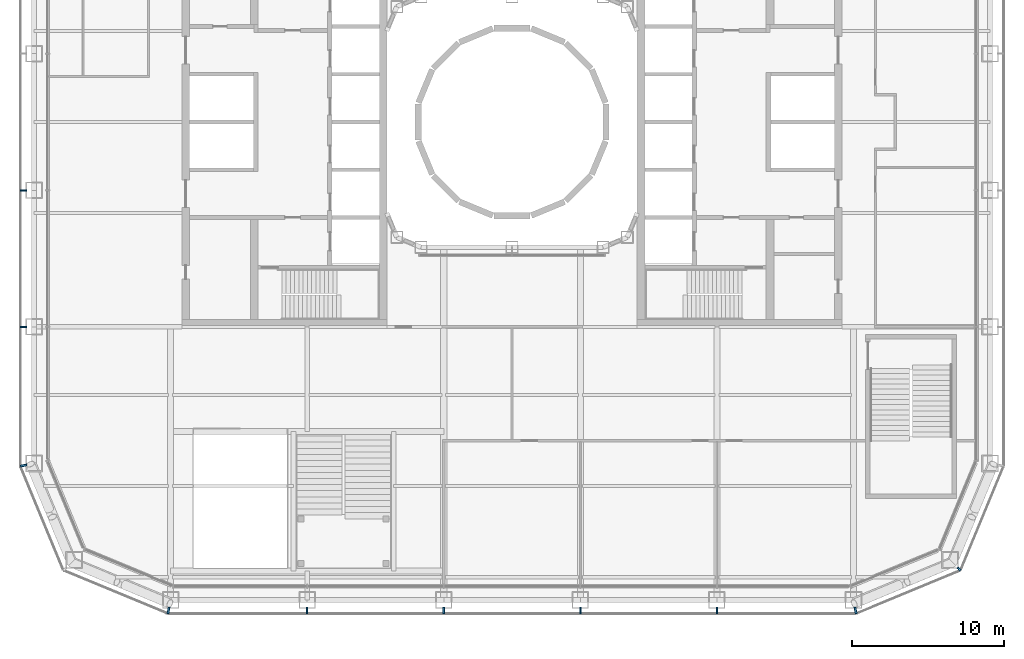
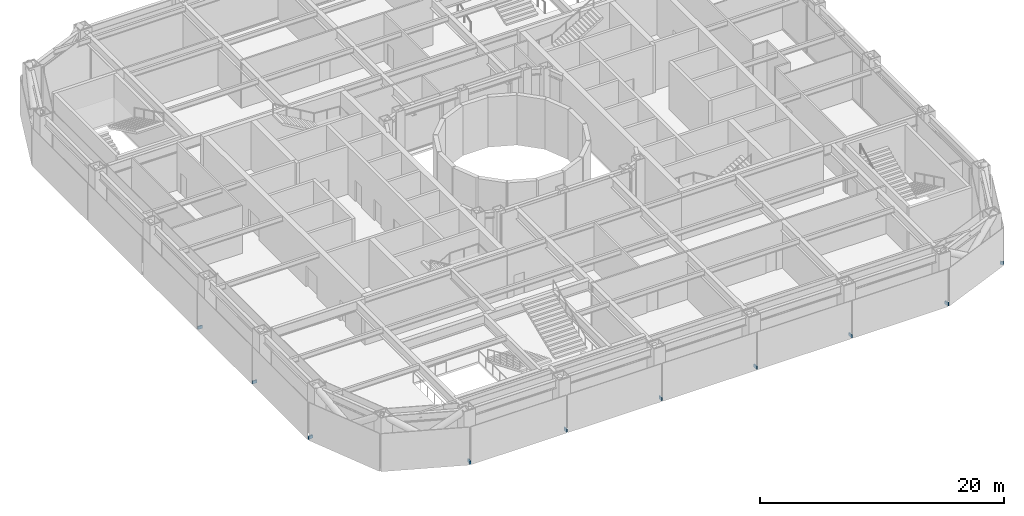
# One storey, part 17 of 25: 10 discrete accessories.
"""IFC4 building model written with IfcOpenShell, lengths in metres."""

from ifc_helpers import new_model, si_unit, direction, frame, origin, origin_2d, place, context, subcontext, project, spatial, rectangle, extrude, material, type_object, element, save


model = new_model("IFC4")

# Units and contexts
model_context = context("Model", 3, precision=1e-05, world=origin(), true_north=direction((0.0, 1.0)))
body_context = subcontext(model_context, "Body", "Model", "MODEL_VIEW")
ifc_project = project(units=[si_unit("LENGTHUNIT", "METRE"), si_unit("AREAUNIT", "SQUARE_METRE"), si_unit("VOLUMEUNIT", "CUBIC_METRE"), si_unit("PLANEANGLEUNIT", "RADIAN"), si_unit("MASSUNIT", "GRAM", prefix="KILO")], contexts=[model_context])

# Site, building, storey
site_placement = place(None, origin())
site = spatial("IfcSite", under=ifc_project, at=site_placement, CompositionType="ELEMENT")
building_placement = place(site_placement, origin())
building = spatial("IfcBuilding", under=site, at=building_placement, Name="Siwar Civic Tower", CompositionType="ELEMENT")
storey_placement = place(building_placement, frame((0.0, 0.0, 7.199951171875)))
storey = spatial("IfcBuildingStorey", under=building, at=storey_placement, Name="L01", CompositionType="ELEMENT", Elevation=7.199951171875)

# Discrete accessories
ifc_material = material(Name="Stainless steel 316", Category="steel")
discrete_accessory_type = type_object("IfcDiscreteAccessoryType", Name="ENV-BRACKET", PredefinedType="BRACKET", material=ifc_material)
for number, where, z_axis, x_axis, name in (
    (1, (-13.5, -32.18994140625, -0.14990234375), (0.0, 0.0, 1.0), (0.0, -1.0, 0.0), "Bracket outer skin joint S-01"),
    (2, (-4.5, -32.18994140625, -0.14990234375), (0.0, 0.0, 1.0), (0.0, -1.0, 0.0), "Bracket outer skin joint S-02"),
    (3, (4.5, -32.18994140625, -0.14990234375), (0.0, 0.0, 1.0), (0.0, -1.0, 0.0), "Bracket outer skin joint S-03"),
    (4, (13.5, -32.18994140625, -0.14990234375), (0.0, 0.0, 1.0), (0.0, -1.0, 0.0), "Bracket outer skin joint S-04"),
):
    element("IfcDiscreteAccessory", number, at=place(storey_placement, frame(where, z_axis=z_axis, x_axis=x_axis)), inside=storey, type_object=discrete_accessory_type, Name=name, PredefinedType="BRACKET", context=body_context, shape_type="SweptSolid", body=[
        extrude(rectangle(XDim=0.419921875, YDim=0.10009765625, at=origin_2d()), origin(), (0.0, 0.0, 1.0), 0.300048828125),
    ])
for number, where, z_axis, x_axis, name in (
    (5, (-22.63720703125, -32.190185546875, -0.14990234375), (0.0, 0.0, 1.0), (-0.195090322016, -0.980785280403, 0.0), "Bracket outer skin joint V00"),
    (6, (22.63720703125, -32.190185546875, -0.14990234375), (0.0, 0.0, 1.0), (0.195090322016, -0.980785280403, 0.0), "Bracket outer skin joint V01"),
):
    element("IfcDiscreteAccessory", number, at=place(storey_placement, frame(where, z_axis=z_axis, x_axis=x_axis)), inside=storey, type_object=discrete_accessory_type, Name=name, PredefinedType="BRACKET", context=body_context, shape_type="SweptSolid", body=[
        extrude(rectangle(XDim=0.427734375, YDim=0.13720703125, at=origin_2d()), origin(), (0.0, 0.0, 1.0), 0.300048828125),
    ])
discrete_accessory_1_placement = place(storey_placement, frame((29.451416015625, -29.451416015625, -0.14990234375), z_axis=(0.0, 0.0, 1.0), x_axis=(0.707106781187, -0.707106781187, 0.0)))
element("IfcDiscreteAccessory", 7, at=discrete_accessory_1_placement, inside=storey, type_object=discrete_accessory_type, Name="Bracket outer skin joint V02", PredefinedType="BRACKET", context=body_context, shape_type="SweptSolid", body=[
    extrude(rectangle(XDim=0.287109375, YDim=0.12939453125, at=origin_2d()), origin(), (0.0, 0.0, 1.0), 0.300048828125),
])
discrete_accessory_2_placement = place(storey_placement, frame((-32.190185546875, -22.63720703125, -0.14990234375), z_axis=(0.0, 0.0, 1.0), x_axis=(-0.980785280403, -0.195090322016, 0.0)))
element("IfcDiscreteAccessory", 8, at=discrete_accessory_2_placement, inside=storey, type_object=discrete_accessory_type, Name="Bracket outer skin joint V10", PredefinedType="BRACKET", context=body_context, shape_type="SweptSolid", body=[
    extrude(rectangle(XDim=0.427734375, YDim=0.13720703125, at=origin_2d()), origin(), (0.0, 0.0, 1.0), 0.300048828125),
])
for number, where, z_axis, x_axis, name in (
    (9, (-32.18994140625, -4.5, -0.14990234375), (0.0, 0.0, 1.0), (-1.0, 0.0, 0.0), "Bracket outer skin joint W-03"),
    (10, (-32.18994140625, -13.5, -0.14990234375), (0.0, 0.0, 1.0), (-1.0, 0.0, 0.0), "Bracket outer skin joint W-04"),
):
    element("IfcDiscreteAccessory", number, at=place(storey_placement, frame(where, z_axis=z_axis, x_axis=x_axis)), inside=storey, type_object=discrete_accessory_type, Name=name, PredefinedType="BRACKET", context=body_context, shape_type="SweptSolid", body=[
        extrude(rectangle(XDim=0.419921875, YDim=0.10009765625, at=origin_2d()), origin(), (0.0, 0.0, 1.0), 0.300048828125),
    ])

save(model, "model.ifc")
